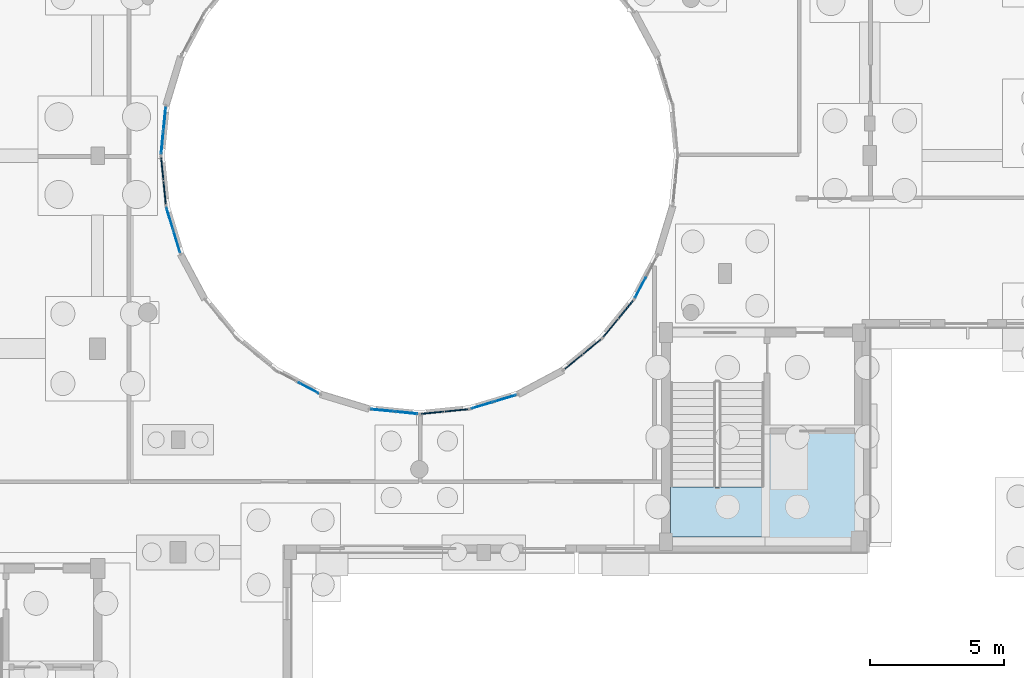
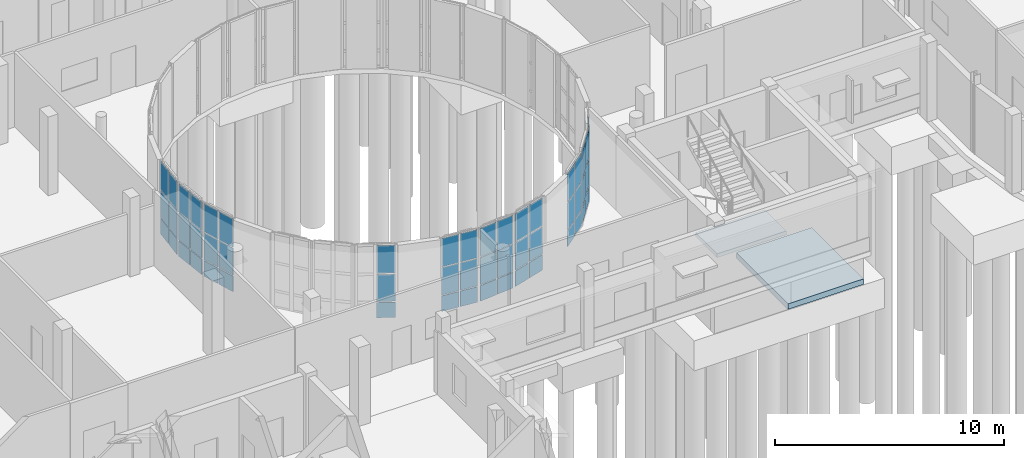
# One storey, part 54 of 93: 54 plates, 2 slabs, 11 elements without a shape of their own.
"""IFC4 building model written with IfcOpenShell, lengths in metres."""

from ifc_helpers import new_model, si_unit, direction, frame, origin, origin_2d, place, context, subcontext, project, spatial, polyline, rectangle, outline, extrude, material, layer, layer_set, type_object, element, aggregate, save


model = new_model("IFC4")

# Units and contexts
model_context = context("Model", 3, precision=1e-05, world=origin(), true_north=direction((0.0, 1.0)))
body_context = subcontext(model_context, "Body", "Model", "MODEL_VIEW")
ifc_project = project(units=[si_unit("LENGTHUNIT", "METRE"), si_unit("AREAUNIT", "SQUARE_METRE"), si_unit("VOLUMEUNIT", "CUBIC_METRE"), si_unit("PLANEANGLEUNIT", "RADIAN"), si_unit("MASSUNIT", "GRAM", prefix="KILO")], contexts=[model_context])

# Site, building, storey
site_placement = place(None, origin())
site = spatial("IfcSite", under=ifc_project, at=site_placement, CompositionType="ELEMENT")
building_placement = place(site_placement, origin())
building = spatial("IfcBuilding", under=site, at=building_placement, Name="Kelanivale Promenade Academy", CompositionType="ELEMENT")
storey_placement = place(building_placement, origin())
storey = spatial("IfcBuildingStorey", under=building, at=storey_placement, Name="L00", CompositionType="ELEMENT", Elevation=0.0)

# Slab
ifc_material_1 = material(Name="Concrete C35/45", Category="concrete")
ifc_layer_1 = layer(ifc_material_1, 0.300048828125)
ifc_layer_set_1 = layer_set([ifc_layer_1], Name="Concrete C35/45")
slab_type_1 = type_object("IfcSlabType", Name="BS-02 Slab 300mm", PredefinedType="BASESLAB", material=ifc_layer_set_1)
slab_1_placement = place(storey_placement, frame((0.0, 0.0, -1.85009765625)))
element("IfcSlab", 1, at=slab_1_placement, inside=storey, type_object=slab_type_1, Name="CORE-3 lift pit waterproof RC base slab (-1.550 m)", PredefinedType="BASESLAB", context=body_context, shape_type="SweptSolid", body=[
    extrude(outline(polyline([(111.554931640625, 42.235107421875), (115.364990234375, 42.235107421875), (115.364990234375, 46.7548828125), (111.554931640625, 46.7548828125), (111.554931640625, 42.235107421875)])), origin(), (0.0, 0.0, 1.0), 0.300048828125),
])

# Curtain wall, plates
ifc_material_2 = material(Name="Bronze anodised aluminium and solar-control low-E glass", Category="aluminium")
ifc_layer_2 = layer(ifc_material_2, 0.169921875)
ifc_layer_set_2 = layer_set([ifc_layer_2], Name="Bronze anodised aluminium and solar-control low-E glass")
curtain_wall_type_1 = type_object("IfcCurtainWallType", Name="CW-13 Curtain Wall 1350mm Module", PredefinedType="USERDEFINED", material=ifc_layer_set_2)
curtain_wall_1_placement = place(storey_placement, origin())
curtain_wall_1 = element("IfcCurtainWall", 2, at=curtain_wall_1_placement, inside=storey, type_object=curtain_wall_type_1, Name="L00 courtyard curtain wall CW-13", ObjectType="COURTYARD SCREEN GLAZING", PredefinedType="USERDEFINED")
ifc_material_3 = material(Name="Solar-control double glazing 28 mm", Category="glass")
ifc_layer_3 = layer(ifc_material_3, 0.028076171875)
ifc_layer_set_3 = layer_set([ifc_layer_3], Name="Solar-control double glazing 28 mm")
plate_type_1 = type_object("IfcPlateType", Name="CWP-01 Plate 28mm", PredefinedType="CURTAIN_PANEL", material=ifc_layer_set_3)
plate_1_placement = place(storey_placement, frame((89.4873046875, 54.44970703125, 0.0498046875), z_axis=(0.0, 0.0, 1.0), x_axis=(0.290127576893, -0.956987977524, 0.0)))
plate_1 = element("IfcPlate", 3, at=plate_1_placement, type_object=plate_type_1, Name="CW-13 panel 1.1", PredefinedType="CURTAIN_PANEL", context=body_context, shape_type="SweptSolid", body=[
    extrude(rectangle(XDim=0.833740234375, YDim=0.028076171875, at=origin_2d()), origin(), (0.0, 0.0, 1.0), 0.824951171875),
])
plate_2_placement = place(storey_placement, frame((89.4873046875, 54.44970703125, 0.9248046875), z_axis=(0.0, 0.0, 1.0), x_axis=(0.290127576893, -0.956987977524, 0.0)))
plate_2 = element("IfcPlate", 4, at=plate_2_placement, type_object=plate_type_1, Name="CW-13 panel 1.2", PredefinedType="CURTAIN_PANEL", context=body_context, shape_type="SweptSolid", body=[
    extrude(rectangle(XDim=0.833740234375, YDim=0.028076171875, at=origin_2d()), origin(), (0.0, 0.0, 1.0), 1.449951171875),
])
plate_3_placement = place(storey_placement, frame((89.4873046875, 54.44970703125, 2.425048828125), z_axis=(0.0, 0.0, 1.0), x_axis=(0.290127576893, -0.956987977524, 0.0)))
plate_3 = element("IfcPlate", 5, at=plate_3_placement, type_object=plate_type_1, Name="CW-13 panel 1.3", PredefinedType="CURTAIN_PANEL", context=body_context, shape_type="SweptSolid", body=[
    extrude(rectangle(XDim=0.833740234375, YDim=0.028076171875, at=origin_2d()), origin(), (0.0, 0.0, 1.0), 1.5048828125),
])
plate_4_placement = place(storey_placement, frame((89.74658203125, 53.59423828125, 0.0498046875), z_axis=(0.0, 0.0, 1.0), x_axis=(0.290127576893, -0.956987977524, 0.0)))
plate_4 = element("IfcPlate", 6, at=plate_4_placement, type_object=plate_type_1, Name="CW-13 panel 2.1", PredefinedType="CURTAIN_PANEL", context=body_context, shape_type="SweptSolid", body=[
    extrude(rectangle(XDim=0.833740234375, YDim=0.028076171875, at=origin_2d()), origin(), (0.0, 0.0, 1.0), 0.824951171875),
])
plate_5_placement = place(storey_placement, frame((89.74658203125, 53.59423828125, 0.9248046875), z_axis=(0.0, 0.0, 1.0), x_axis=(0.290127576893, -0.956987977524, 0.0)))
plate_5 = element("IfcPlate", 7, at=plate_5_placement, type_object=plate_type_1, Name="CW-13 panel 2.2", PredefinedType="CURTAIN_PANEL", context=body_context, shape_type="SweptSolid", body=[
    extrude(rectangle(XDim=0.833740234375, YDim=0.028076171875, at=origin_2d()), origin(), (0.0, 0.0, 1.0), 1.449951171875),
])
plate_6_placement = place(storey_placement, frame((89.74658203125, 53.59423828125, 2.425048828125), z_axis=(0.0, 0.0, 1.0), x_axis=(0.290127576893, -0.956987977524, 0.0)))
plate_6 = element("IfcPlate", 8, at=plate_6_placement, type_object=plate_type_1, Name="CW-13 panel 2.3", PredefinedType="CURTAIN_PANEL", context=body_context, shape_type="SweptSolid", body=[
    extrude(rectangle(XDim=0.833740234375, YDim=0.028076171875, at=origin_2d()), origin(), (0.0, 0.0, 1.0), 1.5048828125),
])
aggregate(curtain_wall_1, [plate_1, plate_2, plate_3, plate_4, plate_5, plate_6])

ifc_layer_4 = layer(ifc_material_2, 0.169921875)
ifc_layer_set_4 = layer_set([ifc_layer_4], Name="Bronze anodised aluminium and solar-control low-E glass")
curtain_wall_type_2 = type_object("IfcCurtainWallType", Name="CW-16 Curtain Wall 1800mm Module", PredefinedType="USERDEFINED", material=ifc_layer_set_4)
curtain_wall_2_placement = place(storey_placement, origin())
curtain_wall_2 = element("IfcCurtainWall", 9, at=curtain_wall_2_placement, inside=storey, type_object=curtain_wall_type_2, Name="L00 courtyard curtain wall CW-16", ObjectType="COURTYARD SCREEN GLAZING", PredefinedType="USERDEFINED")
plate_7_placement = place(storey_placement, frame((94.6640625, 48.13232421875, 0.06005859375), z_axis=(0.0, 0.0, 1.0), x_axis=(0.881978204448, -0.471290193914, 0.0)))
plate_7 = element("IfcPlate", 10, at=plate_7_placement, type_object=plate_type_1, Name="CW-16 panel 2.1", PredefinedType="CURTAIN_PANEL", context=body_context, shape_type="SweptSolid", body=[
    extrude(rectangle(XDim=0.82666015625, YDim=0.028076171875, at=origin_2d()), origin(), (0.0, 0.0, 1.0), 0.81005859375),
])
plate_8_placement = place(storey_placement, frame((94.6640625, 48.13232421875, 0.929931640625), z_axis=(0.0, 0.0, 1.0), x_axis=(0.881978204448, -0.471290193914, 0.0)))
plate_8 = element("IfcPlate", 11, at=plate_8_placement, type_object=plate_type_1, Name="CW-16 panel 2.2", PredefinedType="CURTAIN_PANEL", context=body_context, shape_type="SweptSolid", body=[
    extrude(rectangle(XDim=0.82666015625, YDim=0.028076171875, at=origin_2d()), origin(), (0.0, 0.0, 1.0), 1.43994140625),
])
plate_9_placement = place(storey_placement, frame((94.6640625, 48.13232421875, 2.43017578125), z_axis=(0.0, 0.0, 1.0), x_axis=(0.881978204448, -0.471290193914, 0.0)))
plate_9 = element("IfcPlate", 12, at=plate_9_placement, type_object=plate_type_1, Name="CW-16 panel 2.3", PredefinedType="CURTAIN_PANEL", context=body_context, shape_type="SweptSolid", body=[
    extrude(rectangle(XDim=0.82666015625, YDim=0.028076171875, at=origin_2d()), origin(), (0.0, 0.0, 1.0), 1.489990234375),
])
aggregate(curtain_wall_2, [plate_7, plate_8, plate_9])

ifc_layer_5 = layer(ifc_material_2, 0.169921875)
ifc_layer_set_5 = layer_set([ifc_layer_5], Name="Bronze anodised aluminium and solar-control low-E glass")
curtain_wall_type_3 = type_object("IfcCurtainWallType", Name="CW-19 Curtain Wall 1350mm Module", PredefinedType="USERDEFINED", material=ifc_layer_set_5)
curtain_wall_3_placement = place(storey_placement, origin())
curtain_wall_3 = element("IfcCurtainWall", 13, at=curtain_wall_3_placement, inside=storey, type_object=curtain_wall_type_3, Name="L00 courtyard curtain wall CW-19", ObjectType="COURTYARD SCREEN GLAZING", PredefinedType="USERDEFINED")
plate_10_placement = place(storey_placement, frame((101.151611328125, 47.48779296875, 0.0498046875), z_axis=(0.0, 0.0, 1.0), x_axis=(0.956987977524, 0.290127576893, 0.0)))
plate_10 = element("IfcPlate", 14, at=plate_10_placement, type_object=plate_type_1, Name="CW-19 panel 1.1", PredefinedType="CURTAIN_PANEL", context=body_context, shape_type="SweptSolid", body=[
    extrude(rectangle(XDim=0.826171875, YDim=0.028076171875, at=origin_2d()), origin(), (0.0, 0.0, 1.0), 0.824951171875),
])
plate_11_placement = place(storey_placement, frame((101.151611328125, 47.48779296875, 0.9248046875), z_axis=(0.0, 0.0, 1.0), x_axis=(0.956987977524, 0.290127576893, 0.0)))
plate_11 = element("IfcPlate", 15, at=plate_11_placement, type_object=plate_type_1, Name="CW-19 panel 1.2", PredefinedType="CURTAIN_PANEL", context=body_context, shape_type="SweptSolid", body=[
    extrude(rectangle(XDim=0.826171875, YDim=0.028076171875, at=origin_2d()), origin(), (0.0, 0.0, 1.0), 1.449951171875),
])
plate_12_placement = place(storey_placement, frame((101.151611328125, 47.48779296875, 2.425048828125), z_axis=(0.0, 0.0, 1.0), x_axis=(0.956987977524, 0.290127576893, 0.0)))
plate_12 = element("IfcPlate", 16, at=plate_12_placement, type_object=plate_type_1, Name="CW-19 panel 1.3", PredefinedType="CURTAIN_PANEL", context=body_context, shape_type="SweptSolid", body=[
    extrude(rectangle(XDim=0.826171875, YDim=0.028076171875, at=origin_2d()), origin(), (0.0, 0.0, 1.0), 1.5048828125),
])
plate_13_placement = place(storey_placement, frame((102.00439453125, 47.746337890625, 0.0498046875), z_axis=(0.0, 0.0, 1.0), x_axis=(0.956987977524, 0.290127576893, 0.0)))
plate_13 = element("IfcPlate", 17, at=plate_13_placement, type_object=plate_type_1, Name="CW-19 panel 2.1", PredefinedType="CURTAIN_PANEL", context=body_context, shape_type="SweptSolid", body=[
    extrude(rectangle(XDim=0.826171875, YDim=0.028076171875, at=origin_2d()), origin(), (0.0, 0.0, 1.0), 0.824951171875),
])
plate_14_placement = place(storey_placement, frame((102.00439453125, 47.746337890625, 0.9248046875), z_axis=(0.0, 0.0, 1.0), x_axis=(0.956987977524, 0.290127576893, 0.0)))
plate_14 = element("IfcPlate", 18, at=plate_14_placement, type_object=plate_type_1, Name="CW-19 panel 2.2", PredefinedType="CURTAIN_PANEL", context=body_context, shape_type="SweptSolid", body=[
    extrude(rectangle(XDim=0.826171875, YDim=0.028076171875, at=origin_2d()), origin(), (0.0, 0.0, 1.0), 1.449951171875),
])
plate_15_placement = place(storey_placement, frame((102.00439453125, 47.746337890625, 2.425048828125), z_axis=(0.0, 0.0, 1.0), x_axis=(0.956987977524, 0.290127576893, 0.0)))
plate_15 = element("IfcPlate", 19, at=plate_15_placement, type_object=plate_type_1, Name="CW-19 panel 2.3", PredefinedType="CURTAIN_PANEL", context=body_context, shape_type="SweptSolid", body=[
    extrude(rectangle(XDim=0.826171875, YDim=0.028076171875, at=origin_2d()), origin(), (0.0, 0.0, 1.0), 1.5048828125),
])
aggregate(curtain_wall_3, [plate_10, plate_11, plate_12, plate_13, plate_14, plate_15])

ifc_layer_6 = layer(ifc_material_2, 0.169921875)
ifc_layer_set_6 = layer_set([ifc_layer_6], Name="Bronze anodised aluminium and solar-control low-E glass")
curtain_wall_type_4 = type_object("IfcCurtainWallType", Name="CW-22 Curtain Wall 1800mm Module", PredefinedType="USERDEFINED", material=ifc_layer_set_6)
curtain_wall_4_placement = place(storey_placement, origin())
curtain_wall_4 = element("IfcCurtainWall", 20, at=curtain_wall_4_placement, inside=storey, type_object=curtain_wall_type_4, Name="L00 courtyard curtain wall CW-22", ObjectType="COURTYARD SCREEN GLAZING", PredefinedType="USERDEFINED")
plate_16_placement = place(storey_placement, frame((107.046875, 51.876708984375, 0.0498046875), z_axis=(0.0, 0.0, 1.0), x_axis=(0.471290193914, 0.881978204448, 0.0)))
plate_16 = element("IfcPlate", 21, at=plate_16_placement, type_object=plate_type_1, Name="CW-22 panel 1.1", PredefinedType="CURTAIN_PANEL", context=body_context, shape_type="SweptSolid", body=[
    extrude(rectangle(XDim=0.833984375, YDim=0.028076171875, at=origin_2d()), origin(), (0.0, 0.0, 1.0), 0.824951171875),
])
plate_17_placement = place(storey_placement, frame((107.046875, 51.876708984375, 0.9248046875), z_axis=(0.0, 0.0, 1.0), x_axis=(0.471290193914, 0.881978204448, 0.0)))
plate_17 = element("IfcPlate", 22, at=plate_17_placement, type_object=plate_type_1, Name="CW-22 panel 1.2", PredefinedType="CURTAIN_PANEL", context=body_context, shape_type="SweptSolid", body=[
    extrude(rectangle(XDim=0.833984375, YDim=0.028076171875, at=origin_2d()), origin(), (0.0, 0.0, 1.0), 1.449951171875),
])
plate_18_placement = place(storey_placement, frame((107.046875, 51.876708984375, 2.425048828125), z_axis=(0.0, 0.0, 1.0), x_axis=(0.471290193914, 0.881978204448, 0.0)))
plate_18 = element("IfcPlate", 23, at=plate_18_placement, type_object=plate_type_1, Name="CW-22 panel 1.3", PredefinedType="CURTAIN_PANEL", context=body_context, shape_type="SweptSolid", body=[
    extrude(rectangle(XDim=0.833984375, YDim=0.028076171875, at=origin_2d()), origin(), (0.0, 0.0, 1.0), 1.5048828125),
])
aggregate(curtain_wall_4, [plate_16, plate_17, plate_18])

ifc_layer_7 = layer(ifc_material_2, 0.179931640625)
ifc_layer_set_7 = layer_set([ifc_layer_7], Name="Bronze anodised aluminium and solar-control low-E glass")
curtain_wall_type_5 = type_object("IfcCurtainWallType", Name="CW-11 Curtain Wall 1950mm Module", PredefinedType="USERDEFINED", material=ifc_layer_set_7)
curtain_wall_5_placement = place(storey_placement, origin())
curtain_wall_5 = element("IfcCurtainWall", 24, at=curtain_wall_5_placement, inside=storey, type_object=curtain_wall_type_5, Name="L00 courtyard curtain wall CW-11", ObjectType="UNITISED GLAZING", PredefinedType="USERDEFINED")
ifc_material_4 = material(Name="Acoustic laminated double glazing 36 mm", Category="glass")
ifc_layer_8 = layer(ifc_material_4, 0.035888671875)
ifc_layer_set_8 = layer_set([ifc_layer_8], Name="Acoustic laminated double glazing 36 mm")
plate_type_2 = type_object("IfcPlateType", Name="CWP-02 Plate 36mm", PredefinedType="CURTAIN_PANEL", material=ifc_layer_set_8)
plate_19_placement = place(storey_placement, frame((89.2958984375, 58.17626953125, 0.0498046875), z_axis=(0.0, 0.0, 1.0), x_axis=(-0.098538762159, -0.99513321337, 0.0)))
plate_19 = element("IfcPlate", 25, at=plate_19_placement, type_object=plate_type_2, Name="CW-11 panel 1.1", PredefinedType="CURTAIN_PANEL", context=body_context, shape_type="SweptSolid", body=[
    extrude(rectangle(XDim=0.825927734375, YDim=0.035888671875, at=origin_2d()), origin(), (0.0, 0.0, 1.0), 0.824951171875),
])
plate_20_placement = place(storey_placement, frame((89.2958984375, 58.17626953125, 0.9248046875), z_axis=(0.0, 0.0, 1.0), x_axis=(-0.098538762159, -0.99513321337, 0.0)))
plate_20 = element("IfcPlate", 26, at=plate_20_placement, type_object=plate_type_2, Name="CW-11 panel 1.2", PredefinedType="CURTAIN_PANEL", context=body_context, shape_type="SweptSolid", body=[
    extrude(rectangle(XDim=0.825927734375, YDim=0.035888671875, at=origin_2d()), origin(), (0.0, 0.0, 1.0), 1.449951171875),
])
plate_21_placement = place(storey_placement, frame((89.2958984375, 58.17626953125, 2.425048828125), z_axis=(0.0, 0.0, 1.0), x_axis=(-0.098538762159, -0.99513321337, 0.0)))
plate_21 = element("IfcPlate", 27, at=plate_21_placement, type_object=plate_type_2, Name="CW-11 panel 1.3", PredefinedType="CURTAIN_PANEL", context=body_context, shape_type="SweptSolid", body=[
    extrude(rectangle(XDim=0.825927734375, YDim=0.035888671875, at=origin_2d()), origin(), (0.0, 0.0, 1.0), 1.5048828125),
])
plate_22_placement = place(storey_placement, frame((89.2080078125, 57.28955078125, 0.0498046875), z_axis=(0.0, 0.0, 1.0), x_axis=(-0.098538762159, -0.99513321337, 0.0)))
plate_22 = element("IfcPlate", 28, at=plate_22_placement, type_object=plate_type_2, Name="CW-11 panel 2.1", PredefinedType="CURTAIN_PANEL", context=body_context, shape_type="SweptSolid", body=[
    extrude(rectangle(XDim=0.825927734375, YDim=0.035888671875, at=origin_2d()), origin(), (0.0, 0.0, 1.0), 0.824951171875),
])
plate_23_placement = place(storey_placement, frame((89.2080078125, 57.28955078125, 0.9248046875), z_axis=(0.0, 0.0, 1.0), x_axis=(-0.098538762159, -0.99513321337, 0.0)))
plate_23 = element("IfcPlate", 29, at=plate_23_placement, type_object=plate_type_2, Name="CW-11 panel 2.2", PredefinedType="CURTAIN_PANEL", context=body_context, shape_type="SweptSolid", body=[
    extrude(rectangle(XDim=0.825927734375, YDim=0.035888671875, at=origin_2d()), origin(), (0.0, 0.0, 1.0), 1.449951171875),
])
plate_24_placement = place(storey_placement, frame((89.2080078125, 57.28955078125, 2.425048828125), z_axis=(0.0, 0.0, 1.0), x_axis=(-0.098538762159, -0.99513321337, 0.0)))
plate_24 = element("IfcPlate", 30, at=plate_24_placement, type_object=plate_type_2, Name="CW-11 panel 2.3", PredefinedType="CURTAIN_PANEL", context=body_context, shape_type="SweptSolid", body=[
    extrude(rectangle(XDim=0.825927734375, YDim=0.035888671875, at=origin_2d()), origin(), (0.0, 0.0, 1.0), 1.5048828125),
])
aggregate(curtain_wall_5, [plate_19, plate_20, plate_21, plate_22, plate_23, plate_24])

ifc_layer_9 = layer(ifc_material_2, 0.179931640625)
ifc_layer_set_9 = layer_set([ifc_layer_9], Name="Bronze anodised aluminium and solar-control low-E glass")
curtain_wall_type_6 = type_object("IfcCurtainWallType", Name="CW-17 Curtain Wall 1950mm Module", PredefinedType="USERDEFINED", material=ifc_layer_set_9)
curtain_wall_6_placement = place(storey_placement, origin())
curtain_wall_6 = element("IfcCurtainWall", 31, at=curtain_wall_6_placement, inside=storey, type_object=curtain_wall_type_6, Name="L00 courtyard curtain wall CW-17", ObjectType="COURTYARD SCREEN GLAZING", PredefinedType="USERDEFINED")
plate_25_placement = place(storey_placement, frame((97.42236328125, 47.296142578125, 0.0498046875), z_axis=(0.0, 0.0, 1.0), x_axis=(0.99513321337, -0.098538762159, 0.0)))
plate_25 = element("IfcPlate", 32, at=plate_25_placement, type_object=plate_type_2, Name="CW-17 panel 1.1", PredefinedType="CURTAIN_PANEL", context=body_context, shape_type="SweptSolid", body=[
    extrude(rectangle(XDim=0.83349609375, YDim=0.035888671875, at=origin_2d()), origin(), (0.0, 0.0, 1.0), 0.824951171875),
])
plate_26_placement = place(storey_placement, frame((97.42236328125, 47.296142578125, 0.9248046875), z_axis=(0.0, 0.0, 1.0), x_axis=(0.99513321337, -0.098538762159, 0.0)))
plate_26 = element("IfcPlate", 33, at=plate_26_placement, type_object=plate_type_2, Name="CW-17 panel 1.2", PredefinedType="CURTAIN_PANEL", context=body_context, shape_type="SweptSolid", body=[
    extrude(rectangle(XDim=0.83349609375, YDim=0.035888671875, at=origin_2d()), origin(), (0.0, 0.0, 1.0), 1.449951171875),
])
plate_27_placement = place(storey_placement, frame((97.42236328125, 47.296142578125, 2.425048828125), z_axis=(0.0, 0.0, 1.0), x_axis=(0.99513321337, -0.098538762159, 0.0)))
plate_27 = element("IfcPlate", 34, at=plate_27_placement, type_object=plate_type_2, Name="CW-17 panel 1.3", PredefinedType="CURTAIN_PANEL", context=body_context, shape_type="SweptSolid", body=[
    extrude(rectangle(XDim=0.83349609375, YDim=0.035888671875, at=origin_2d()), origin(), (0.0, 0.0, 1.0), 1.5048828125),
])
plate_28_placement = place(storey_placement, frame((98.3115234375, 47.2080078125, 0.0498046875), z_axis=(0.0, 0.0, 1.0), x_axis=(0.99513321337, -0.098538762159, 0.0)))
plate_28 = element("IfcPlate", 35, at=plate_28_placement, type_object=plate_type_2, Name="CW-17 panel 2.1", PredefinedType="CURTAIN_PANEL", context=body_context, shape_type="SweptSolid", body=[
    extrude(rectangle(XDim=0.83349609375, YDim=0.035888671875, at=origin_2d()), origin(), (0.0, 0.0, 1.0), 0.824951171875),
])
plate_29_placement = place(storey_placement, frame((98.3115234375, 47.2080078125, 0.9248046875), z_axis=(0.0, 0.0, 1.0), x_axis=(0.99513321337, -0.098538762159, 0.0)))
plate_29 = element("IfcPlate", 36, at=plate_29_placement, type_object=plate_type_2, Name="CW-17 panel 2.2", PredefinedType="CURTAIN_PANEL", context=body_context, shape_type="SweptSolid", body=[
    extrude(rectangle(XDim=0.83349609375, YDim=0.035888671875, at=origin_2d()), origin(), (0.0, 0.0, 1.0), 1.449951171875),
])
plate_30_placement = place(storey_placement, frame((98.3115234375, 47.2080078125, 2.425048828125), z_axis=(0.0, 0.0, 1.0), x_axis=(0.99513321337, -0.098538762159, 0.0)))
plate_30 = element("IfcPlate", 37, at=plate_30_placement, type_object=plate_type_2, Name="CW-17 panel 2.3", PredefinedType="CURTAIN_PANEL", context=body_context, shape_type="SweptSolid", body=[
    extrude(rectangle(XDim=0.83349609375, YDim=0.035888671875, at=origin_2d()), origin(), (0.0, 0.0, 1.0), 1.5048828125),
])
aggregate(curtain_wall_6, [plate_25, plate_26, plate_27, plate_28, plate_29, plate_30])

ifc_layer_10 = layer(ifc_material_2, 0.179931640625)
ifc_layer_set_10 = layer_set([ifc_layer_10], Name="Bronze anodised aluminium and solar-control low-E glass")
curtain_wall_type_7 = type_object("IfcCurtainWallType", Name="CW-20 Curtain Wall 1500mm Module", PredefinedType="USERDEFINED", material=ifc_layer_set_10)
curtain_wall_7_placement = place(storey_placement, origin())
curtain_wall_7 = element("IfcCurtainWall", 38, at=curtain_wall_7_placement, inside=storey, type_object=curtain_wall_type_7, Name="L00 courtyard curtain wall CW-20", ObjectType="COURTYARD SCREEN GLAZING", PredefinedType="USERDEFINED")
plate_31_placement = place(storey_placement, frame((104.548583984375, 49.10595703125, 0.06005859375), z_axis=(0.0, 0.0, 1.0), x_axis=(0.773257170269, 0.634092539482, 0.0)))
plate_31 = element("IfcPlate", 39, at=plate_31_placement, type_object=plate_type_2, Name="CW-20 panel 1.1", PredefinedType="CURTAIN_PANEL", context=body_context, shape_type="SweptSolid", body=[
    extrude(rectangle(XDim=0.825927734375, YDim=0.035888671875, at=origin_2d()), origin(), (0.0, 0.0, 1.0), 0.81005859375),
])
plate_32_placement = place(storey_placement, frame((104.548583984375, 49.10595703125, 0.929931640625), z_axis=(0.0, 0.0, 1.0), x_axis=(0.773257170269, 0.634092539482, 0.0)))
plate_32 = element("IfcPlate", 40, at=plate_32_placement, type_object=plate_type_2, Name="CW-20 panel 1.2", PredefinedType="CURTAIN_PANEL", context=body_context, shape_type="SweptSolid", body=[
    extrude(rectangle(XDim=0.825927734375, YDim=0.035888671875, at=origin_2d()), origin(), (0.0, 0.0, 1.0), 1.43994140625),
])
plate_33_placement = place(storey_placement, frame((104.548583984375, 49.10595703125, 2.43017578125), z_axis=(0.0, 0.0, 1.0), x_axis=(0.773257170269, 0.634092539482, 0.0)))
plate_33 = element("IfcPlate", 41, at=plate_33_placement, type_object=plate_type_2, Name="CW-20 panel 1.3", PredefinedType="CURTAIN_PANEL", context=body_context, shape_type="SweptSolid", body=[
    extrude(rectangle(XDim=0.825927734375, YDim=0.035888671875, at=origin_2d()), origin(), (0.0, 0.0, 1.0), 1.489990234375),
])
plate_34_placement = place(storey_placement, frame((105.237548828125, 49.6708984375, 0.06005859375), z_axis=(0.0, 0.0, 1.0), x_axis=(0.773257170269, 0.634092539482, 0.0)))
plate_34 = element("IfcPlate", 42, at=plate_34_placement, type_object=plate_type_2, Name="CW-20 panel 2.1", PredefinedType="CURTAIN_PANEL", context=body_context, shape_type="SweptSolid", body=[
    extrude(rectangle(XDim=0.825927734375, YDim=0.035888671875, at=origin_2d()), origin(), (0.0, 0.0, 1.0), 0.81005859375),
])
plate_35_placement = place(storey_placement, frame((105.237548828125, 49.6708984375, 0.929931640625), z_axis=(0.0, 0.0, 1.0), x_axis=(0.773257170269, 0.634092539482, 0.0)))
plate_35 = element("IfcPlate", 43, at=plate_35_placement, type_object=plate_type_2, Name="CW-20 panel 2.2", PredefinedType="CURTAIN_PANEL", context=body_context, shape_type="SweptSolid", body=[
    extrude(rectangle(XDim=0.825927734375, YDim=0.035888671875, at=origin_2d()), origin(), (0.0, 0.0, 1.0), 1.43994140625),
])
plate_36_placement = place(storey_placement, frame((105.237548828125, 49.6708984375, 2.43017578125), z_axis=(0.0, 0.0, 1.0), x_axis=(0.773257170269, 0.634092539482, 0.0)))
plate_36 = element("IfcPlate", 44, at=plate_36_placement, type_object=plate_type_2, Name="CW-20 panel 2.3", PredefinedType="CURTAIN_PANEL", context=body_context, shape_type="SweptSolid", body=[
    extrude(rectangle(XDim=0.825927734375, YDim=0.035888671875, at=origin_2d()), origin(), (0.0, 0.0, 1.0), 1.489990234375),
])
aggregate(curtain_wall_7, [plate_31, plate_32, plate_33, plate_34, plate_35, plate_36])

ifc_layer_11 = layer(ifc_material_2, 0.159912109375)
ifc_layer_set_11 = layer_set([ifc_layer_11], Name="Bronze anodised aluminium and solar-control low-E glass")
curtain_wall_type_8 = type_object("IfcCurtainWallType", Name="CW-12 Curtain Wall 1200mm Module", PredefinedType="USERDEFINED", material=ifc_layer_set_11)
curtain_wall_8_placement = place(storey_placement, origin())
curtain_wall_8 = element("IfcCurtainWall", 45, at=curtain_wall_8_placement, inside=storey, type_object=curtain_wall_type_8, Name="L00 courtyard curtain wall CW-12", ObjectType="UNITISED GLAZING", PredefinedType="USERDEFINED")
ifc_material_5 = material(Name="Insulated bronze aluminium spandrel panel 44 mm", Category="aluminium")
ifc_layer_12 = layer(ifc_material_5, 0.0439453125)
ifc_layer_set_12 = layer_set([ifc_layer_12], Name="Insulated bronze aluminium spandrel panel 44 mm")
plate_type_3 = type_object("IfcPlateType", Name="CWP-03 Plate 44mm", PredefinedType="CURTAIN_PANEL", material=ifc_layer_set_12)
plate_37_placement = place(storey_placement, frame((89.208251953125, 56.306640625, 0.06005859375), z_axis=(0.0, 0.0, 1.0), x_axis=(0.098280652454, -0.995158737767, 0.0)))
plate_37 = element("IfcPlate", 46, at=plate_37_placement, type_object=plate_type_3, Name="CW-12 panel 1.1", PredefinedType="CURTAIN_PANEL", context=body_context, shape_type="SweptSolid", body=[
    extrude(rectangle(XDim=0.83349609375, YDim=0.0439453125, at=origin_2d()), origin(), (0.0, 0.0, 1.0), 0.81005859375),
])
plate_38_placement = place(storey_placement, frame((89.208251953125, 56.306640625, 0.929931640625), z_axis=(0.0, 0.0, 1.0), x_axis=(0.098280652454, -0.995158737767, 0.0)))
plate_38 = element("IfcPlate", 47, at=plate_38_placement, type_object=plate_type_3, Name="CW-12 panel 1.2", PredefinedType="CURTAIN_PANEL", context=body_context, shape_type="SweptSolid", body=[
    extrude(rectangle(XDim=0.83349609375, YDim=0.0439453125, at=origin_2d()), origin(), (0.0, 0.0, 1.0), 1.43994140625),
])
plate_39_placement = place(storey_placement, frame((89.208251953125, 56.306640625, 2.43017578125), z_axis=(0.0, 0.0, 1.0), x_axis=(0.098280652454, -0.995158737767, 0.0)))
plate_39 = element("IfcPlate", 48, at=plate_39_placement, type_object=plate_type_3, Name="CW-12 panel 1.3", PredefinedType="CURTAIN_PANEL", context=body_context, shape_type="SweptSolid", body=[
    extrude(rectangle(XDim=0.83349609375, YDim=0.0439453125, at=origin_2d()), origin(), (0.0, 0.0, 1.0), 1.489990234375),
])
plate_40_placement = place(storey_placement, frame((89.296630859375, 55.412353515625, 0.06005859375), z_axis=(0.0, 0.0, 1.0), x_axis=(0.098280652454, -0.995158737767, 0.0)))
plate_40 = element("IfcPlate", 49, at=plate_40_placement, type_object=plate_type_3, Name="CW-12 panel 2.1", PredefinedType="CURTAIN_PANEL", context=body_context, shape_type="SweptSolid", body=[
    extrude(rectangle(XDim=0.83349609375, YDim=0.0439453125, at=origin_2d()), origin(), (0.0, 0.0, 1.0), 0.81005859375),
])
plate_41_placement = place(storey_placement, frame((89.296630859375, 55.412353515625, 0.929931640625), z_axis=(0.0, 0.0, 1.0), x_axis=(0.098280652454, -0.995158737767, 0.0)))
plate_41 = element("IfcPlate", 50, at=plate_41_placement, type_object=plate_type_3, Name="CW-12 panel 2.2", PredefinedType="CURTAIN_PANEL", context=body_context, shape_type="SweptSolid", body=[
    extrude(rectangle(XDim=0.83349609375, YDim=0.0439453125, at=origin_2d()), origin(), (0.0, 0.0, 1.0), 1.43994140625),
])
plate_42_placement = place(storey_placement, frame((89.296630859375, 55.412353515625, 2.43017578125), z_axis=(0.0, 0.0, 1.0), x_axis=(0.098280652454, -0.995158737767, 0.0)))
plate_42 = element("IfcPlate", 51, at=plate_42_placement, type_object=plate_type_3, Name="CW-12 panel 2.3", PredefinedType="CURTAIN_PANEL", context=body_context, shape_type="SweptSolid", body=[
    extrude(rectangle(XDim=0.83349609375, YDim=0.0439453125, at=origin_2d()), origin(), (0.0, 0.0, 1.0), 1.489990234375),
])
aggregate(curtain_wall_8, [plate_37, plate_38, plate_39, plate_40, plate_41, plate_42])

ifc_layer_13 = layer(ifc_material_2, 0.159912109375)
ifc_layer_set_13 = layer_set([ifc_layer_13], Name="Bronze anodised aluminium and solar-control low-E glass")
curtain_wall_type_9 = type_object("IfcCurtainWallType", Name="CW-18 Curtain Wall 1200mm Module", PredefinedType="USERDEFINED", material=ifc_layer_set_13)
curtain_wall_9_placement = place(storey_placement, origin())
curtain_wall_9 = element("IfcCurtainWall", 52, at=curtain_wall_9_placement, inside=storey, type_object=curtain_wall_type_9, Name="L00 courtyard curtain wall CW-18", ObjectType="COURTYARD SCREEN GLAZING", PredefinedType="USERDEFINED")
plate_43_placement = place(storey_placement, frame((99.292236328125, 47.208251953125, 0.0498046875), z_axis=(0.0, 0.0, 1.0), x_axis=(0.995158737767, 0.098280652454, 0.0)))
plate_43 = element("IfcPlate", 53, at=plate_43_placement, type_object=plate_type_3, Name="CW-18 panel 1.1", PredefinedType="CURTAIN_PANEL", context=body_context, shape_type="SweptSolid", body=[
    extrude(rectangle(XDim=0.841064453125, YDim=0.0439453125, at=origin_2d()), origin(), (0.0, 0.0, 1.0), 0.824951171875),
])
plate_44_placement = place(storey_placement, frame((99.292236328125, 47.208251953125, 0.9248046875), z_axis=(0.0, 0.0, 1.0), x_axis=(0.995158737767, 0.098280652454, 0.0)))
plate_44 = element("IfcPlate", 54, at=plate_44_placement, type_object=plate_type_3, Name="CW-18 panel 1.2", PredefinedType="CURTAIN_PANEL", context=body_context, shape_type="SweptSolid", body=[
    extrude(rectangle(XDim=0.841064453125, YDim=0.0439453125, at=origin_2d()), origin(), (0.0, 0.0, 1.0), 1.449951171875),
])
plate_45_placement = place(storey_placement, frame((99.292236328125, 47.208251953125, 2.425048828125), z_axis=(0.0, 0.0, 1.0), x_axis=(0.995158737767, 0.098280652454, 0.0)))
plate_45 = element("IfcPlate", 55, at=plate_45_placement, type_object=plate_type_3, Name="CW-18 panel 1.3", PredefinedType="CURTAIN_PANEL", context=body_context, shape_type="SweptSolid", body=[
    extrude(rectangle(XDim=0.841064453125, YDim=0.0439453125, at=origin_2d()), origin(), (0.0, 0.0, 1.0), 1.5048828125),
])
plate_46_placement = place(storey_placement, frame((100.188720703125, 47.296875, 0.0498046875), z_axis=(0.0, 0.0, 1.0), x_axis=(0.995158737767, 0.098280652454, 0.0)))
plate_46 = element("IfcPlate", 56, at=plate_46_placement, type_object=plate_type_3, Name="CW-18 panel 2.1", PredefinedType="CURTAIN_PANEL", context=body_context, shape_type="SweptSolid", body=[
    extrude(rectangle(XDim=0.841064453125, YDim=0.0439453125, at=origin_2d()), origin(), (0.0, 0.0, 1.0), 0.824951171875),
])
plate_47_placement = place(storey_placement, frame((100.188720703125, 47.296875, 0.9248046875), z_axis=(0.0, 0.0, 1.0), x_axis=(0.995158737767, 0.098280652454, 0.0)))
plate_47 = element("IfcPlate", 57, at=plate_47_placement, type_object=plate_type_3, Name="CW-18 panel 2.2", PredefinedType="CURTAIN_PANEL", context=body_context, shape_type="SweptSolid", body=[
    extrude(rectangle(XDim=0.841064453125, YDim=0.0439453125, at=origin_2d()), origin(), (0.0, 0.0, 1.0), 1.449951171875),
])
plate_48_placement = place(storey_placement, frame((100.188720703125, 47.296875, 2.425048828125), z_axis=(0.0, 0.0, 1.0), x_axis=(0.995158737767, 0.098280652454, 0.0)))
plate_48 = element("IfcPlate", 58, at=plate_48_placement, type_object=plate_type_3, Name="CW-18 panel 2.3", PredefinedType="CURTAIN_PANEL", context=body_context, shape_type="SweptSolid", body=[
    extrude(rectangle(XDim=0.841064453125, YDim=0.0439453125, at=origin_2d()), origin(), (0.0, 0.0, 1.0), 1.5048828125),
])
aggregate(curtain_wall_9, [plate_43, plate_44, plate_45, plate_46, plate_47, plate_48])

ifc_layer_14 = layer(ifc_material_2, 0.159912109375)
ifc_layer_set_14 = layer_set([ifc_layer_14], Name="Bronze anodised aluminium and solar-control low-E glass")
curtain_wall_type_10 = type_object("IfcCurtainWallType", Name="CW-21 Curtain Wall 1650mm Module", PredefinedType="USERDEFINED", material=ifc_layer_set_14)
curtain_wall_10_placement = place(storey_placement, origin())
curtain_wall_10 = element("IfcCurtainWall", 59, at=curtain_wall_10_placement, inside=storey, type_object=curtain_wall_type_10, Name="L00 courtyard curtain wall CW-21", ObjectType="COURTYARD SCREEN GLAZING", PredefinedType="USERDEFINED")
plate_49_placement = place(storey_placement, frame((105.9306640625, 50.364501953125, 0.0498046875), z_axis=(0.0, 0.0, 1.0), x_axis=(0.634143799719, 0.773215132597, 0.0)))
plate_49 = element("IfcPlate", 60, at=plate_49_placement, type_object=plate_type_3, Name="CW-21 panel 1.1", PredefinedType="CURTAIN_PANEL", context=body_context, shape_type="SweptSolid", body=[
    extrude(rectangle(XDim=0.841064453125, YDim=0.0439453125, at=origin_2d()), origin(), (0.0, 0.0, 1.0), 0.824951171875),
])
plate_50_placement = place(storey_placement, frame((105.9306640625, 50.364501953125, 0.9248046875), z_axis=(0.0, 0.0, 1.0), x_axis=(0.634143799719, 0.773215132597, 0.0)))
plate_50 = element("IfcPlate", 61, at=plate_50_placement, type_object=plate_type_3, Name="CW-21 panel 1.2", PredefinedType="CURTAIN_PANEL", context=body_context, shape_type="SweptSolid", body=[
    extrude(rectangle(XDim=0.841064453125, YDim=0.0439453125, at=origin_2d()), origin(), (0.0, 0.0, 1.0), 1.449951171875),
])
plate_51_placement = place(storey_placement, frame((105.9306640625, 50.364501953125, 2.425048828125), z_axis=(0.0, 0.0, 1.0), x_axis=(0.634143799719, 0.773215132597, 0.0)))
plate_51 = element("IfcPlate", 62, at=plate_51_placement, type_object=plate_type_3, Name="CW-21 panel 1.3", PredefinedType="CURTAIN_PANEL", context=body_context, shape_type="SweptSolid", body=[
    extrude(rectangle(XDim=0.841064453125, YDim=0.0439453125, at=origin_2d()), origin(), (0.0, 0.0, 1.0), 1.5048828125),
])
plate_52_placement = place(storey_placement, frame((106.502197265625, 51.0615234375, 0.0498046875), z_axis=(0.0, 0.0, 1.0), x_axis=(0.634143799719, 0.773215132597, 0.0)))
plate_52 = element("IfcPlate", 63, at=plate_52_placement, type_object=plate_type_3, Name="CW-21 panel 2.1", PredefinedType="CURTAIN_PANEL", context=body_context, shape_type="SweptSolid", body=[
    extrude(rectangle(XDim=0.841064453125, YDim=0.0439453125, at=origin_2d()), origin(), (0.0, 0.0, 1.0), 0.824951171875),
])
plate_53_placement = place(storey_placement, frame((106.502197265625, 51.0615234375, 0.9248046875), z_axis=(0.0, 0.0, 1.0), x_axis=(0.634143799719, 0.773215132597, 0.0)))
plate_53 = element("IfcPlate", 64, at=plate_53_placement, type_object=plate_type_3, Name="CW-21 panel 2.2", PredefinedType="CURTAIN_PANEL", context=body_context, shape_type="SweptSolid", body=[
    extrude(rectangle(XDim=0.841064453125, YDim=0.0439453125, at=origin_2d()), origin(), (0.0, 0.0, 1.0), 1.449951171875),
])
plate_54_placement = place(storey_placement, frame((106.502197265625, 51.0615234375, 2.425048828125), z_axis=(0.0, 0.0, 1.0), x_axis=(0.634143799719, 0.773215132597, 0.0)))
plate_54 = element("IfcPlate", 65, at=plate_54_placement, type_object=plate_type_3, Name="CW-21 panel 2.3", PredefinedType="CURTAIN_PANEL", context=body_context, shape_type="SweptSolid", body=[
    extrude(rectangle(XDim=0.841064453125, YDim=0.0439453125, at=origin_2d()), origin(), (0.0, 0.0, 1.0), 1.5048828125),
])
aggregate(curtain_wall_10, [plate_49, plate_50, plate_51, plate_52, plate_53, plate_54])

# Stair, slab
stair_type = type_object("IfcStairType", Name="ST-T01 Protected dog-leg ground-storey stai", PredefinedType="HALF_TURN_STAIR", material=ifc_material_1)
stair_placement = place(storey_placement, origin())
stair = element("IfcStair", 66, at=stair_placement, inside=storey, type_object=stair_type, Name="L00 ST-03", PredefinedType="HALF_TURN_STAIR")
ifc_layer_15 = layer(ifc_material_1, 0.199951171875)
ifc_layer_set_15 = layer_set([ifc_layer_15], Name="Concrete C35/45")
slab_type_2 = type_object("IfcSlabType", Name="LS-01 Slab 200mm", PredefinedType="LANDING", material=ifc_layer_set_15)
slab_2_placement = place(storey_placement, frame((0.0, 0.0, 1.89990234375)))
slab_2 = element("IfcSlab", 67, at=slab_2_placement, type_object=slab_type_2, Name="ST-03 landing 1", PredefinedType="LANDING", context=body_context, shape_type="SweptSolid", body=[
    extrude(outline(polyline([(108.1650390625, 44.445068359375), (108.1650390625, 42.56494140625), (111.6650390625, 42.56494140625), (111.6650390625, 44.445068359375), (108.1650390625, 44.445068359375)])), origin(), (0.0, 0.0, 1.0), 0.2001953125),
])
aggregate(stair, [slab_2])

save(model, "model.ifc")
